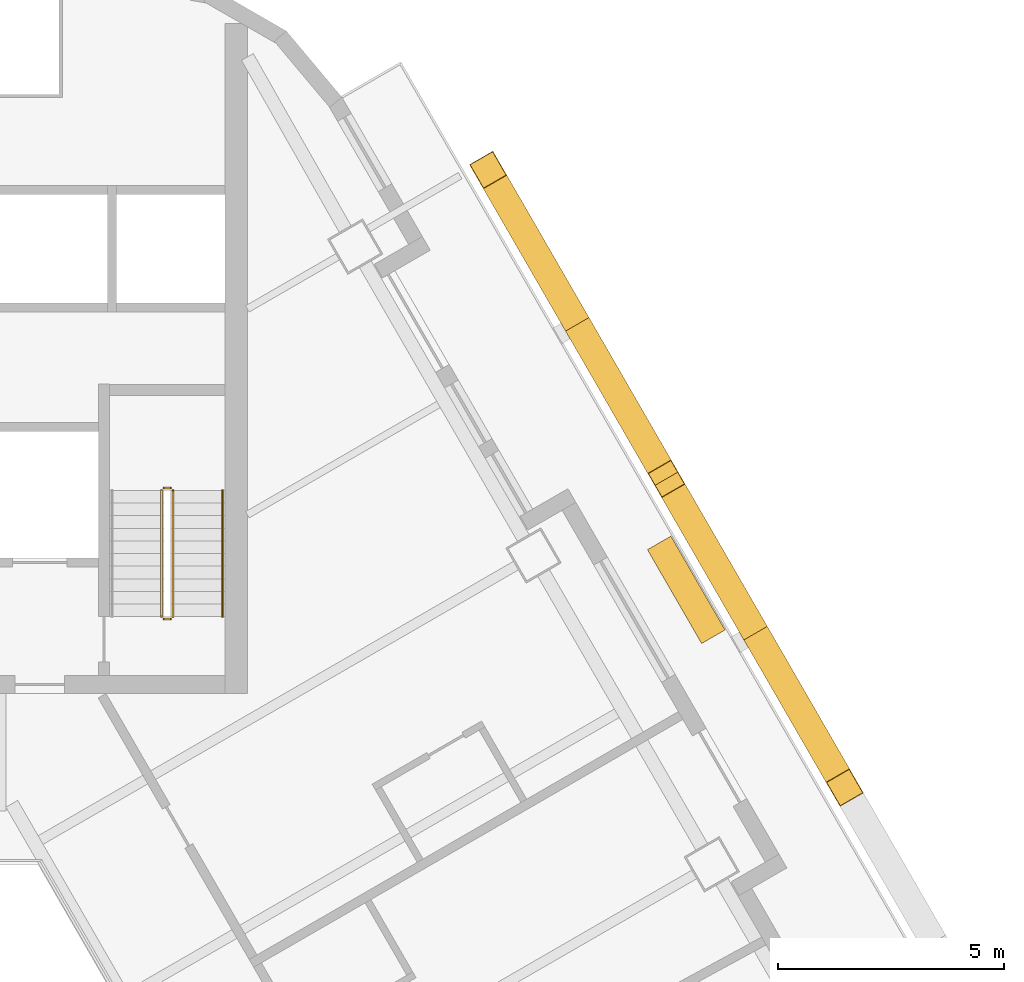
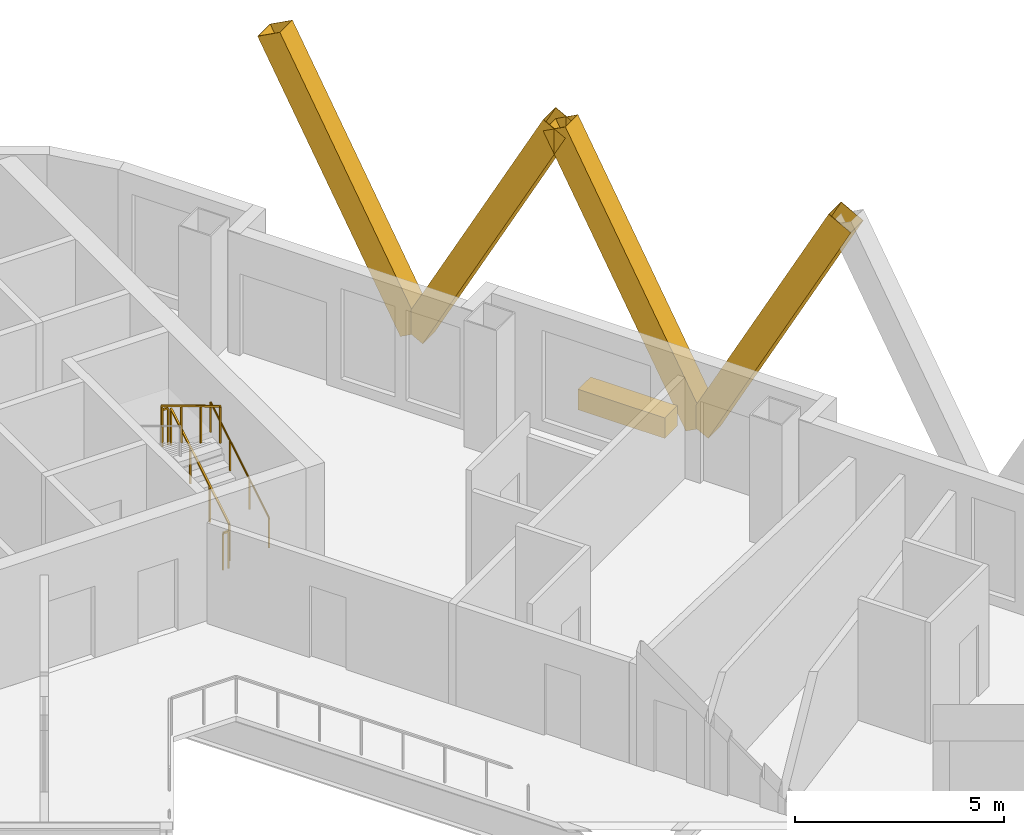
# One storey, part 14 of 14: 5 railings, 4 shading devices, 1 covering.
"""IFC4 building model written with IfcOpenShell, lengths in metres."""

from ifc_helpers import new_model, si_unit, direction, frame, origin, origin_2d, place, context, subcontext, project, spatial, rectangle, hollow_rectangle, circle, extrude, material, material_profile, profile_set, type_object, element, save


model = new_model("IFC4")

# Units and contexts
model_context = context("Model", 3, precision=1e-05, world=origin(), true_north=direction((0.0, 1.0)))
body_context = subcontext(model_context, "Body", "Model", "MODEL_VIEW")
ifc_project = project(units=[si_unit("LENGTHUNIT", "METRE"), si_unit("AREAUNIT", "SQUARE_METRE"), si_unit("VOLUMEUNIT", "CUBIC_METRE"), si_unit("PLANEANGLEUNIT", "RADIAN"), si_unit("MASSUNIT", "GRAM", prefix="KILO")], contexts=[model_context])

# Site, building, storey
site_placement = place(None, origin())
site = spatial("IfcSite", under=ifc_project, at=site_placement, CompositionType="ELEMENT")
building_placement = place(site_placement, origin())
building = spatial("IfcBuilding", under=site, at=building_placement, Name="Apuvela Tower Hotel", CompositionType="ELEMENT")
storey_placement = place(building_placement, frame((0.0, 0.0, 113.10009765625)))
storey = spatial("IfcBuildingStorey", under=building, at=storey_placement, Name="L26", CompositionType="ELEMENT", Elevation=113.10009765625)

# Railings
ifc_material_1 = material(Name="Steel S275 balustrade", Category="steel")
railing_type_1 = type_object("IfcRailingType", Name="COR-GUARD-1100", PredefinedType="GUARDRAIL", material=ifc_material_1)
railing_1_placement = place(storey_placement, frame((3.85009765625, 14.60009765625, 0.16796875)))
element("IfcRailing", 1, at=railing_1_placement, inside=storey, type_object=railing_type_1, Name="L26 ST1 stair guard 1", PredefinedType="GUARDRAIL", context=body_context, shape_type="SweptSolid", body=[
    extrude(rectangle(XDim=0.048095703125, YDim=0.048095703125, at=origin_2d()), frame((0.0, 0.0, 1.076171875), z_axis=(0.0, 0.857222391501, 0.514946377315), x_axis=(-1.0, 0.0, 0.0)), (0.0, 0.0, 1.0), 3.26611328125),
    extrude(rectangle(XDim=0.0419921875, YDim=0.0419921875, at=origin_2d()), origin(), (0.0, 0.0, 1.0), 1.052001953125),
    extrude(rectangle(XDim=0.0419921875, YDim=0.0419921875, at=origin_2d()), frame((0.0, 0.933349609375, 0.560546875)), (0.0, 0.0, 1.0), 1.052001953125),
    extrude(rectangle(XDim=0.0419921875, YDim=0.0419921875, at=origin_2d()), frame((0.0, 1.866455078125, 1.121337890625)), (0.0, 0.0, 1.0), 1.052001953125),
    extrude(rectangle(XDim=0.0419921875, YDim=0.0419921875, at=origin_2d()), frame((0.0, 2.7998046875, 1.681884765625)), (0.0, 0.0, 1.0), 1.052001953125),
])
railing_2_placement = place(storey_placement, frame((3.800048828125, 17.449951171875, 1.849853515625)))
element("IfcRailing", 2, at=railing_2_placement, inside=storey, type_object=railing_type_1, Name="L26 ST1 stair guard 2", PredefinedType="GUARDRAIL", context=body_context, shape_type="SweptSolid", body=[
    extrude(rectangle(XDim=0.048095703125, YDim=0.048095703125, at=origin_2d()), frame((0.0, 0.0, 1.076171875), z_axis=(-1.0, 0.0, 0.0), x_axis=(0.0, -1.0, 0.0)), (0.0, 0.0, 1.0), 0.150146484375),
    extrude(rectangle(XDim=0.0419921875, YDim=0.0419921875, at=origin_2d()), origin(), (0.0, 0.0, 1.0), 1.052001953125),
    extrude(rectangle(XDim=0.0419921875, YDim=0.0419921875, at=origin_2d()), frame((-0.150146484375, 0.0, 0.0)), (0.0, 0.0, 1.0), 1.052001953125),
])
railing_3_placement = place(storey_placement, frame((3.60009765625, 17.39990234375, 2.01806640625)))
element("IfcRailing", 3, at=railing_3_placement, inside=storey, type_object=railing_type_1, Name="L26 ST1 stair guard 3", PredefinedType="GUARDRAIL", context=body_context, shape_type="SweptSolid", body=[
    extrude(rectangle(XDim=0.048095703125, YDim=0.048095703125, at=origin_2d()), frame((0.0, 0.0, 1.076171875), z_axis=(0.0, -0.857222391501, 0.514946377315), x_axis=(1.0, 0.0, 0.0)), (0.0, 0.0, 1.0), 3.26611328125),
    extrude(rectangle(XDim=0.0419921875, YDim=0.0419921875, at=origin_2d()), origin(), (0.0, 0.0, 1.0), 1.052001953125),
    extrude(rectangle(XDim=0.0419921875, YDim=0.0419921875, at=origin_2d()), frame((0.0, -0.933349609375, 0.560546875)), (0.0, 0.0, 1.0), 1.052001953125),
    extrude(rectangle(XDim=0.0419921875, YDim=0.0419921875, at=origin_2d()), frame((0.0, -1.866455078125, 1.121337890625)), (0.0, 0.0, 1.0), 1.052001953125),
    extrude(rectangle(XDim=0.0419921875, YDim=0.0419921875, at=origin_2d()), frame((0.0, -2.7998046875, 1.681884765625)), (0.0, 0.0, 1.0), 1.052001953125),
])
railing_4_placement = place(storey_placement, frame((3.800048828125, 14.550048828125, 0.0)))
element("IfcRailing", 4, at=railing_4_placement, inside=storey, type_object=railing_type_1, Name="L26 ST1 stair guard 4", PredefinedType="GUARDRAIL", context=body_context, shape_type="SweptSolid", body=[
    extrude(rectangle(XDim=0.048095703125, YDim=0.048095703125, at=origin_2d()), frame((0.0, 0.0, 1.076171875), z_axis=(-1.0, 0.0, 0.0), x_axis=(0.0, -1.0, 0.0)), (0.0, 0.0, 1.0), 0.150146484375),
    extrude(rectangle(XDim=0.0419921875, YDim=0.0419921875, at=origin_2d()), origin(), (0.0, 0.0, 1.0), 1.052001953125),
    extrude(rectangle(XDim=0.0419921875, YDim=0.0419921875, at=origin_2d()), frame((-0.150146484375, 0.0, 0.0)), (0.0, 0.0, 1.0), 1.052001953125),
])
ifc_material_2 = material(Name="Stainless steel 316 handrail", Category="steel")
railing_type_2 = type_object("IfcRailingType", Name="COR-HANDRAIL-900", PredefinedType="HANDRAIL", material=ifc_material_2)
railing_5_placement = place(storey_placement, frame((4.949951171875, 14.60009765625, 0.16796875)))
element("IfcRailing", 5, at=railing_5_placement, inside=storey, type_object=railing_type_2, Name="L26 ST1 stair handrail 1", PredefinedType="HANDRAIL", context=body_context, shape_type="SweptSolid", body=[
    extrude(circle(Radius=0.02392578125, at=origin_2d()), frame((0.0, 0.0, 0.8759765625), z_axis=(0.0, 0.857222391501, 0.514946377315), x_axis=(-1.0, 0.0, 0.0)), (0.0, 0.0, 1.0), 3.26611328125),
    extrude(rectangle(XDim=0.0419921875, YDim=0.0419921875, at=origin_2d()), origin(), (0.0, 0.0, 1.0), 0.851806640625),
    extrude(rectangle(XDim=0.0419921875, YDim=0.0419921875, at=origin_2d()), frame((0.0, 0.933349609375, 0.560546875)), (0.0, 0.0, 1.0), 0.851806640625),
    extrude(rectangle(XDim=0.0419921875, YDim=0.0419921875, at=origin_2d()), frame((0.0, 1.866455078125, 1.121337890625)), (0.0, 0.0, 1.0), 0.851806640625),
    extrude(rectangle(XDim=0.0419921875, YDim=0.0419921875, at=origin_2d()), frame((0.0, 2.7998046875, 1.681884765625)), (0.0, 0.0, 1.0), 0.851806640625),
])

# Shading devices
ifc_material_3 = material(Name="Aluminium 6063-T6, black anodised", Category="aluminium")
ifc_material_profile = material_profile(ifc_material_3, hollow_rectangle(XDim=0.60009765625, YDim=0.699951171875, WallThickness=0.011962890625, at=origin_2d()), Name="AL BOX 700x600x12")
ifc_profile_set = profile_set([ifc_material_profile], Name="Aluminium 6063-T6, black anodised")
shading_device_type = type_object("IfcShadingDeviceType", Name="ENV-FIN-700x600", PredefinedType="USERDEFINED", material=ifc_profile_set)
for number, where, z_axis, x_axis, name in (
    (6, (16.757080078125, 14.23583984375, -0.10009765625), (0.235461085354, -0.407822092458, 0.882178677019), (0.866020906874, 0.500007788796, 0.0), "Lattice fin NE221"),
    (7, (16.757080078125, 14.23583984375, -0.10009765625), (-0.235463880167, 0.407797827568, 0.882189148067), (-0.866005453737, -0.500034552904, 0.0), "Lattice fin NE222"),
    (8, (12.80712890625, 21.077392578125, -0.10009765625), (0.235433593518, -0.407824887177, 0.882184722404), (0.866047669374, 0.499961432884, 0.0), "Lattice fin NE223"),
    (9, (12.80712890625, 21.077392578125, -0.10009765625), (-0.235461085354, 0.407822092458, 0.882178677019), (-0.866020906874, -0.500007788796, 0.0), "Lattice fin NE224"),
):
    element("IfcShadingDevice", number, at=place(storey_placement, frame(where, z_axis=z_axis, x_axis=x_axis)), inside=storey, type_object=shading_device_type, Name=name, ObjectType="FIN", PredefinedType="USERDEFINED", context=body_context, shape_type="SweptSolid", body=[
        extrude(hollow_rectangle(XDim=0.60009765625, YDim=0.699951171875, WallThickness=0.011962890625, at=origin_2d()), origin(), (0.0, 0.0, 1.0), 8.38818359375),
    ])

# Covering
ifc_material_4 = material(Name="Planting substrate and soil, planted")
covering_type = type_object("IfcCoveringType", Name="ENV-PLANTER-2400x600", PredefinedType="USERDEFINED", material=ifc_material_4)
covering_placement = place(storey_placement, frame((15.221435546875, 15.19580078125, -0.000244140625), z_axis=(0.0, 0.0, 1.0), x_axis=(-0.5, 0.866025403784, 0.0)))
element("IfcCovering", 10, at=covering_placement, inside=storey, type_object=covering_type, Name="Planter NE3", ObjectType="PLANTER", PredefinedType="USERDEFINED", context=body_context, shape_type="SweptSolid", body=[
    extrude(rectangle(XDim=2.39990234375, YDim=0.60009765625, at=origin_2d()), origin(), (0.0, 0.0, 1.0), 0.60009765625),
])

save(model, "model.ifc")
